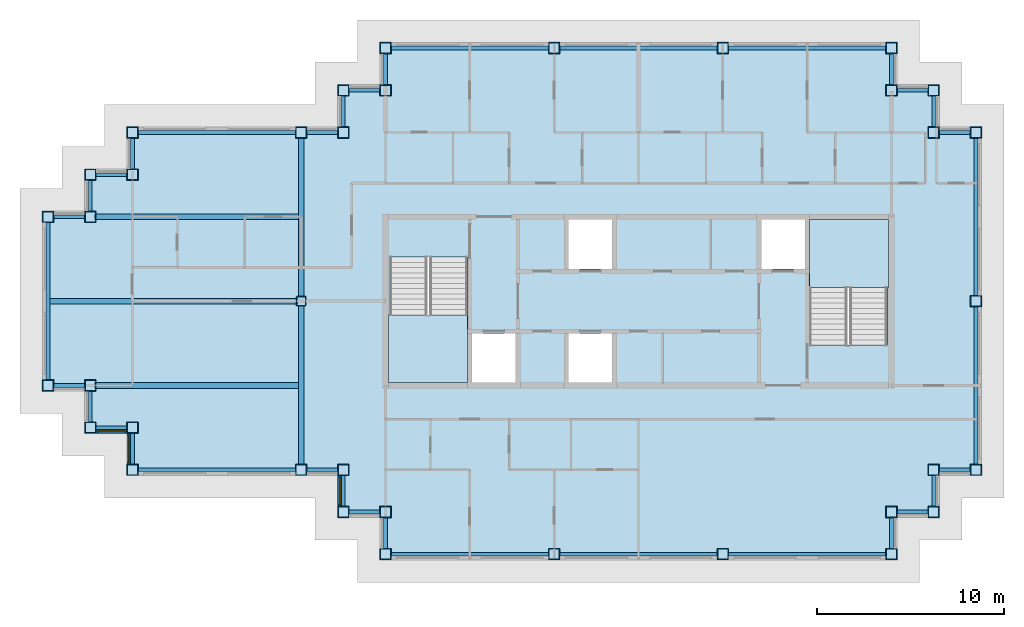
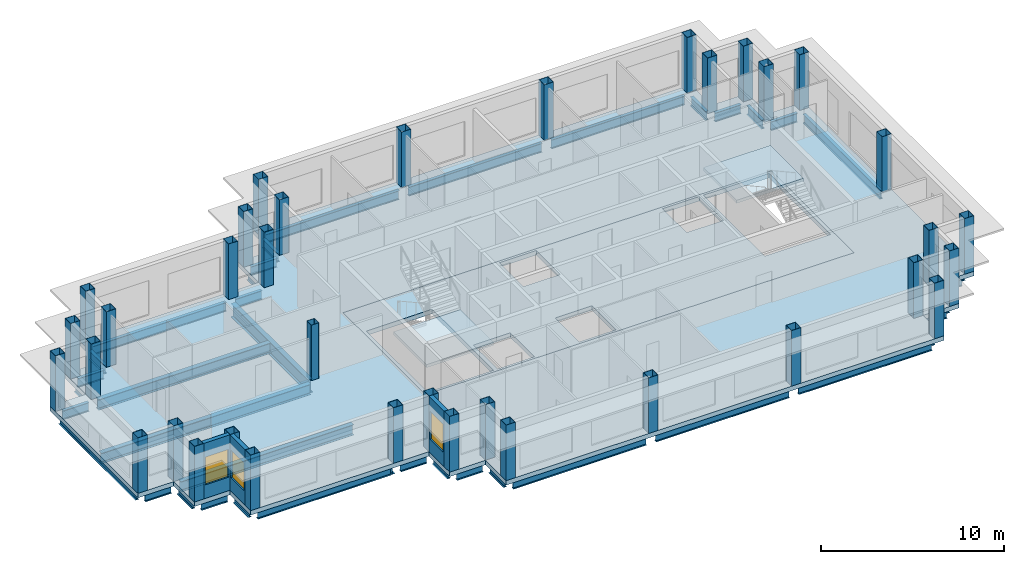
# One storey, part 1 of 12: 40 beams, 36 columns, 4 slabs, 3 walls, 3 windows, 3 openings, 2 elements without a shape of their own.
"""IFC4 building model written with IfcOpenShell, lengths in metres."""

from ifc_helpers import new_model, si_unit, direction, frame, frame_2d, origin, origin_2d, place, context, subcontext, project, spatial, polyline, rectangle, hollow_rectangle, i_section, outline, extrude, material, layer, layer_set, material_profile, profile_set, type_object, element, fill, aggregate, save


model = new_model("IFC4")

# Units and contexts
model_context = context("Model", 3, precision=1e-05, world=origin(), true_north=direction((0.0, 1.0)))
body_context = subcontext(model_context, "Body", "Model", "MODEL_VIEW")
ifc_project = project(units=[si_unit("LENGTHUNIT", "METRE"), si_unit("AREAUNIT", "SQUARE_METRE"), si_unit("VOLUMEUNIT", "CUBIC_METRE"), si_unit("PLANEANGLEUNIT", "RADIAN"), si_unit("MASSUNIT", "GRAM", prefix="KILO")], contexts=[model_context])

# Site, building, storey
site_placement = place(None, origin())
site = spatial("IfcSite", under=ifc_project, at=site_placement, CompositionType="ELEMENT")
building_placement = place(site_placement, origin())
building = spatial("IfcBuilding", under=site, at=building_placement, Name="Caravel Reach Hotel and Residences", CompositionType="ELEMENT")
storey_placement = place(building_placement, frame((0.0, 0.0, 241.60009765625)))
storey = spatial("IfcBuildingStorey", under=building, at=storey_placement, Name="L61", CompositionType="ELEMENT", Elevation=241.60009765625)

# Columns
ifc_material_1 = material(Name="Concrete-filled steel tube Q390B with Concrete C60 infill", Category="concrete")
ifc_material_profile_1 = material_profile(ifc_material_1, hollow_rectangle(XDim=0.5, YDim=0.5, WallThickness=0.01611328125, InnerFilletRadius=0.031982421875, OuterFilletRadius=0.048095703125, at=origin_2d()), Name="RHS 500x500x16")
ifc_profile_set_1 = profile_set([ifc_material_profile_1], Name="Concrete-filled steel tube Q390B with Concrete C60 infill")
column_type_1 = type_object("IfcColumnType", Name="CFT 500x500 Q390B C60", PredefinedType="COLUMN", material=ifc_profile_set_1)
column_placement = place(storey_placement, frame((13.5, 27.0, 0.0), z_axis=(0.0, 0.0, 1.0), x_axis=(1.0, 0.0, 0.0)))
element("IfcColumn", 1, at=column_placement, inside=storey, type_object=column_type_1, Name="C9 column", PredefinedType="COLUMN", context=body_context, shape_type="SweptSolid", body=[
    extrude(hollow_rectangle(XDim=0.5, YDim=0.5, WallThickness=0.01611328125, InnerFilletRadius=0.031982421875, OuterFilletRadius=0.048095703125, at=origin_2d()), origin(), (0.0, 0.0, 1.0), 3.699951171875),
])
ifc_material_2 = material(Name="Concrete-filled steel tube Q390B with Concrete C60 infill", Category="concrete")
ifc_material_profile_2 = material_profile(ifc_material_2, hollow_rectangle(XDim=0.60009765625, YDim=0.60009765625, WallThickness=0.02001953125, at=origin_2d()), Name="RHS 600x600x20")
ifc_profile_set_2 = profile_set([ifc_material_profile_2], Name="Concrete-filled steel tube Q390B with Concrete C60 infill")
column_type_2 = type_object("IfcColumnType", Name="CFT 600x600 Q390B C60", PredefinedType="COLUMN", material=ifc_profile_set_2)
for number, where, z_axis, x_axis, name in (
    (2, (15.75, 18.0, 0.0), (0.0, 0.0, 1.0), (1.0, 0.0, 0.0), "C8 column"),
    (3, (15.75, 15.75, 0.0), (0.0, 0.0, 1.0), (1.0, 0.0, 0.0), "C8 column"),
    (4, (18.0, 15.75, 0.0), (0.0, 0.0, 1.0), (1.0, 0.0, 0.0), "C8 column"),
    (5, (18.0, 13.5, 0.0), (0.0, 0.0, 1.0), (1.0, 0.0, 0.0), "C8 column"),
    (6, (27.0, 13.5, 0.0), (0.0, 0.0, 1.0), (1.0, 0.0, 0.0), "C8 column"),
    (7, (36.0, 13.5, 0.0), (0.0, 0.0, 1.0), (1.0, 0.0, 0.0), "C8 column"),
    (8, (45.0, 13.5, 0.0), (0.0, 0.0, 1.0), (1.0, 0.0, 0.0), "C8 column"),
    (9, (45.0, 15.75, 0.0), (0.0, 0.0, 1.0), (1.0, 0.0, 0.0), "C8 column"),
    (10, (47.25, 15.75, 0.0), (0.0, 0.0, 1.0), (1.0, 0.0, 0.0), "C8 column"),
    (11, (47.25, 18.0, 0.0), (0.0, 0.0, 1.0), (1.0, 0.0, 0.0), "C8 column"),
    (12, (49.5, 18.0, 0.0), (0.0, 0.0, 1.0), (1.0, 0.0, 0.0), "C8 column"),
    (13, (49.5, 27.0, 0.0), (0.0, 0.0, 1.0), (1.0, 0.0, 0.0), "C8 column"),
    (14, (49.5, 36.0, 0.0), (0.0, 0.0, 1.0), (1.0, 0.0, 0.0), "C8 column"),
    (15, (47.25, 36.0, 0.0), (0.0, 0.0, 1.0), (1.0, 0.0, 0.0), "C8 column"),
    (16, (47.25, 38.25, 0.0), (0.0, 0.0, 1.0), (1.0, 0.0, 0.0), "C8 column"),
    (17, (45.0, 38.25, 0.0), (0.0, 0.0, 1.0), (1.0, 0.0, 0.0), "C8 column"),
    (18, (45.0, 40.5, 0.0), (0.0, 0.0, 1.0), (1.0, 0.0, 0.0), "C8 column"),
    (19, (36.0, 40.5, 0.0), (0.0, 0.0, 1.0), (1.0, 0.0, 0.0), "C8 column"),
    (20, (27.0, 40.5, 0.0), (0.0, 0.0, 1.0), (1.0, 0.0, 0.0), "C8 column"),
    (21, (18.0, 40.5, 0.0), (0.0, 0.0, 1.0), (1.0, 0.0, 0.0), "C8 column"),
    (22, (18.0, 38.25, 0.0), (0.0, 0.0, 1.0), (1.0, 0.0, 0.0), "C8 column"),
    (23, (15.75, 38.25, 0.0), (0.0, 0.0, 1.0), (1.0, 0.0, 0.0), "C8 column"),
    (24, (15.75, 36.0, 0.0), (0.0, 0.0, 1.0), (1.0, 0.0, 0.0), "C8 column"),
    (25, (13.5, 36.0, 0.0), (0.0, 0.0, 1.0), (1.0, 0.0, 0.0), "C8 column"),
    (26, (4.5, 36.0, 0.0), (0.0, 0.0, 1.0), (1.0, 0.0, 0.0), "C8 column"),
    (27, (4.5, 33.75, 0.0), (0.0, 0.0, 1.0), (1.0, 0.0, 0.0), "C8 column"),
    (28, (2.25, 33.75, 0.0), (0.0, 0.0, 1.0), (1.0, 0.0, 0.0), "C8 column"),
    (29, (2.25, 31.5, 0.0), (0.0, 0.0, 1.0), (1.0, 0.0, 0.0), "C8 column"),
    (30, (0.0, 31.5, 0.0), (0.0, 0.0, 1.0), (1.0, 0.0, 0.0), "C8 column"),
    (31, (0.0, 22.5, 0.0), (0.0, 0.0, 1.0), (1.0, 0.0, 0.0), "C8 column"),
    (32, (2.25, 22.5, 0.0), (0.0, 0.0, 1.0), (1.0, 0.0, 0.0), "C8 column"),
    (33, (2.25, 20.25, 0.0), (0.0, 0.0, 1.0), (1.0, 0.0, 0.0), "C8 column"),
    (34, (4.5, 20.25, 0.0), (0.0, 0.0, 1.0), (1.0, 0.0, 0.0), "C8 column"),
    (35, (4.5, 18.0, 0.0), (0.0, 0.0, 1.0), (1.0, 0.0, 0.0), "C8 column"),
    (36, (13.5, 18.0, 0.0), (0.0, 0.0, 1.0), (1.0, 0.0, 0.0), "C8 column"),
):
    element("IfcColumn", number, at=place(storey_placement, frame(where, z_axis=z_axis, x_axis=x_axis)), inside=storey, type_object=column_type_2, Name=name, PredefinedType="COLUMN", context=body_context, shape_type="SweptSolid", body=[
        extrude(hollow_rectangle(XDim=0.60009765625, YDim=0.60009765625, WallThickness=0.02001953125, at=origin_2d()), origin(), (0.0, 0.0, 1.0), 3.699951171875),
    ])

# Beams
ifc_material_3 = material(Name="Structural steel Q355B", Category="steel")
ifc_material_profile_3 = material_profile(ifc_material_3, i_section(OverallWidth=0.300048828125, OverallDepth=0.699951171875, WebThickness=0.012939453125, FlangeThickness=0.02392578125, FilletRadius=0.01806640625, at=origin_2d()), Name="HN 700x300x13x24")
ifc_profile_set_3 = profile_set([ifc_material_profile_3], Name="Structural steel Q355B")
beam_type_1 = type_object("IfcBeamType", Name="Beam HN 700x300x13x24", PredefinedType="BEAM", material=ifc_profile_set_3)
beam_1_placement = place(storey_placement, frame((13.39990234375, 22.5, -0.650146484375), z_axis=(-1.0, 0.0, 0.0), x_axis=(0.0, -1.0, 0.0)))
element("IfcBeam", 37, at=beam_1_placement, inside=storey, type_object=beam_type_1, Name="B2 HN 700x300x13x24", PredefinedType="BEAM", context=body_context, shape_type="SweptSolid", body=[
    extrude(i_section(OverallWidth=0.300048828125, OverallDepth=0.699951171875, WebThickness=0.012939453125, FlangeThickness=0.02392578125, FilletRadius=0.01806640625, at=origin_2d()), origin(), (0.0, 0.0, 1.0), 10.89990234375),
])
beam_2_placement = place(storey_placement, frame((13.300048828125, 27.0, -0.650146484375), z_axis=(-1.0, 0.0, 0.0), x_axis=(0.0, -1.0, 0.0)))
element("IfcBeam", 38, at=beam_2_placement, inside=storey, type_object=beam_type_1, Name="B2 HN 700x300x13x24", PredefinedType="BEAM", context=body_context, shape_type="SweptSolid", body=[
    extrude(i_section(OverallWidth=0.300048828125, OverallDepth=0.699951171875, WebThickness=0.012939453125, FlangeThickness=0.02392578125, FilletRadius=0.01806640625, at=origin_2d()), origin(), (0.0, 0.0, 1.0), 13.199951171875),
])
beam_3_placement = place(storey_placement, frame((13.39990234375, 31.5, -0.650146484375), z_axis=(-1.0, 0.0, 0.0), x_axis=(0.0, -1.0, 0.0)))
element("IfcBeam", 39, at=beam_3_placement, inside=storey, type_object=beam_type_1, Name="B2 HN 700x300x13x24", PredefinedType="BEAM", context=body_context, shape_type="SweptSolid", body=[
    extrude(i_section(OverallWidth=0.300048828125, OverallDepth=0.699951171875, WebThickness=0.012939453125, FlangeThickness=0.02392578125, FilletRadius=0.01806640625, at=origin_2d()), origin(), (0.0, 0.0, 1.0), 10.89990234375),
])
ifc_material_4 = material(Name="Structural steel Q355B", Category="steel")
ifc_material_profile_4 = material_profile(ifc_material_4, i_section(OverallWidth=0.300048828125, OverallDepth=0.89990234375, WebThickness=0.01611328125, FlangeThickness=0.028076171875, FilletRadius=0.01806640625, at=origin_2d()), Name="HN 900x300x16x28")
ifc_profile_set_4 = profile_set([ifc_material_profile_4], Name="Structural steel Q355B")
beam_type_2 = type_object("IfcBeamType", Name="Beam HN 900x300x16x28", PredefinedType="BEAM", material=ifc_profile_set_4)
for number, where, z_axis, x_axis, name in (
    (40, (13.5, 18.300048828125, -0.75), (0.0, 1.0, 0.0), (-1.0, 0.0, 0.0), "B3 HN 900x300x16x28"),
    (41, (13.5, 27.25, -0.75), (0.0, 1.0, 0.0), (-1.0, 0.0, 0.0), "B3 HN 900x300x16x28"),
):
    element("IfcBeam", number, at=place(storey_placement, frame(where, z_axis=z_axis, x_axis=x_axis)), inside=storey, type_object=beam_type_2, Name=name, PredefinedType="BEAM", context=body_context, shape_type="SweptSolid", body=[
        extrude(i_section(OverallWidth=0.300048828125, OverallDepth=0.89990234375, WebThickness=0.01611328125, FlangeThickness=0.028076171875, FilletRadius=0.01806640625, at=origin_2d()), origin(), (0.0, 0.0, 1.0), 8.449951171875),
    ])
ifc_material_5 = material(Name="Structural steel Q355B", Category="steel")
ifc_material_profile_5 = material_profile(ifc_material_5, i_section(OverallWidth=0.199951171875, OverallDepth=0.60009765625, WebThickness=0.010986328125, FlangeThickness=0.01708984375, FilletRadius=0.012939453125, at=origin_2d()), Name="HN 600x200x11x17")
ifc_profile_set_5 = profile_set([ifc_material_profile_5], Name="Structural steel Q355B")
beam_type_3 = type_object("IfcBeamType", Name="Spandrel beam HN 600x200x11x17", PredefinedType="SPANDREL", material=ifc_profile_set_5)
for number, where, z_axis, x_axis, name in (
    (42, (15.75, 17.699951171875, -0.60009765625), (0.0, -1.0, 0.0), (1.0, 0.0, 0.0), "SP1 HN 600x200x11x17"),
    (43, (16.050048828125, 15.75, -0.60009765625), (1.0, 0.0, 0.0), (0.0, 1.0, 0.0), "SP1 HN 600x200x11x17"),
    (44, (18.0, 15.449951171875, -0.60009765625), (0.0, -1.0, 0.0), (1.0, 0.0, 0.0), "SP1 HN 600x200x11x17"),
):
    element("IfcBeam", number, at=place(storey_placement, frame(where, z_axis=z_axis, x_axis=x_axis)), inside=storey, type_object=beam_type_3, Name=name, PredefinedType="SPANDREL", context=body_context, shape_type="SweptSolid", body=[
        extrude(i_section(OverallWidth=0.199951171875, OverallDepth=0.60009765625, WebThickness=0.010986328125, FlangeThickness=0.01708984375, FilletRadius=0.012939453125, at=origin_2d()), origin(), (0.0, 0.0, 1.0), 1.64990234375),
    ])
for number, where, z_axis, x_axis, name in (
    (45, (18.300048828125, 13.5, -0.60009765625), (1.0, 0.0, 0.0), (0.0, 1.0, 0.0), "SP1 HN 600x200x11x17"),
    (46, (27.300048828125, 13.5, -0.60009765625), (1.0, 0.0, 0.0), (0.0, 1.0, 0.0), "SP1 HN 600x200x11x17"),
    (47, (36.300048828125, 13.5, -0.60009765625), (1.0, 0.0, 0.0), (0.0, 1.0, 0.0), "SP1 HN 600x200x11x17"),
):
    element("IfcBeam", number, at=place(storey_placement, frame(where, z_axis=z_axis, x_axis=x_axis)), inside=storey, type_object=beam_type_3, Name=name, PredefinedType="SPANDREL", context=body_context, shape_type="SweptSolid", body=[
        extrude(i_section(OverallWidth=0.199951171875, OverallDepth=0.60009765625, WebThickness=0.010986328125, FlangeThickness=0.01708984375, FilletRadius=0.012939453125, at=origin_2d()), origin(), (0.0, 0.0, 1.0), 8.39990234375),
    ])
for number, where, z_axis, x_axis, name in (
    (48, (45.0, 13.800048828125, -0.60009765625), (0.0, 1.0, 0.0), (-1.0, 0.0, 0.0), "SP1 HN 600x200x11x17"),
    (49, (45.300048828125, 15.75, -0.60009765625), (1.0, 0.0, 0.0), (0.0, 1.0, 0.0), "SP1 HN 600x200x11x17"),
    (50, (47.25, 16.050048828125, -0.60009765625), (0.0, 1.0, 0.0), (-1.0, 0.0, 0.0), "SP1 HN 600x200x11x17"),
    (51, (47.550048828125, 18.0, -0.60009765625), (1.0, 0.0, 0.0), (0.0, 1.0, 0.0), "SP1 HN 600x200x11x17"),
):
    element("IfcBeam", number, at=place(storey_placement, frame(where, z_axis=z_axis, x_axis=x_axis)), inside=storey, type_object=beam_type_3, Name=name, PredefinedType="SPANDREL", context=body_context, shape_type="SweptSolid", body=[
        extrude(i_section(OverallWidth=0.199951171875, OverallDepth=0.60009765625, WebThickness=0.010986328125, FlangeThickness=0.01708984375, FilletRadius=0.012939453125, at=origin_2d()), origin(), (0.0, 0.0, 1.0), 1.64990234375),
    ])
for number, where, z_axis, x_axis, name in (
    (52, (49.5, 18.300048828125, -0.60009765625), (0.0, 1.0, 0.0), (-1.0, 0.0, 0.0), "SP1 HN 600x200x11x17"),
    (53, (49.5, 27.300048828125, -0.60009765625), (0.0, 1.0, 0.0), (-1.0, 0.0, 0.0), "SP1 HN 600x200x11x17"),
):
    element("IfcBeam", number, at=place(storey_placement, frame(where, z_axis=z_axis, x_axis=x_axis)), inside=storey, type_object=beam_type_3, Name=name, PredefinedType="SPANDREL", context=body_context, shape_type="SweptSolid", body=[
        extrude(i_section(OverallWidth=0.199951171875, OverallDepth=0.60009765625, WebThickness=0.010986328125, FlangeThickness=0.01708984375, FilletRadius=0.012939453125, at=origin_2d()), origin(), (0.0, 0.0, 1.0), 8.39990234375),
    ])
for number, where, z_axis, x_axis, name in (
    (54, (49.199951171875, 36.0, -0.60009765625), (-1.0, 0.0, 0.0), (0.0, -1.0, 0.0), "SP1 HN 600x200x11x17"),
    (55, (47.25, 36.300048828125, -0.60009765625), (0.0, 1.0, 0.0), (-1.0, 0.0, 0.0), "SP1 HN 600x200x11x17"),
    (56, (46.949951171875, 38.25, -0.60009765625), (-1.0, 0.0, 0.0), (0.0, -1.0, 0.0), "SP1 HN 600x200x11x17"),
    (57, (45.0, 38.550048828125, -0.60009765625), (0.0, 1.0, 0.0), (-1.0, 0.0, 0.0), "SP1 HN 600x200x11x17"),
):
    element("IfcBeam", number, at=place(storey_placement, frame(where, z_axis=z_axis, x_axis=x_axis)), inside=storey, type_object=beam_type_3, Name=name, PredefinedType="SPANDREL", context=body_context, shape_type="SweptSolid", body=[
        extrude(i_section(OverallWidth=0.199951171875, OverallDepth=0.60009765625, WebThickness=0.010986328125, FlangeThickness=0.01708984375, FilletRadius=0.012939453125, at=origin_2d()), origin(), (0.0, 0.0, 1.0), 1.64990234375),
    ])
for number, where, z_axis, x_axis, name in (
    (58, (44.699951171875, 40.5, -0.60009765625), (-1.0, 0.0, 0.0), (0.0, -1.0, 0.0), "SP1 HN 600x200x11x17"),
    (59, (35.699951171875, 40.5, -0.60009765625), (-1.0, 0.0, 0.0), (0.0, -1.0, 0.0), "SP1 HN 600x200x11x17"),
    (60, (26.699951171875, 40.5, -0.60009765625), (-1.0, 0.0, 0.0), (0.0, -1.0, 0.0), "SP1 HN 600x200x11x17"),
):
    element("IfcBeam", number, at=place(storey_placement, frame(where, z_axis=z_axis, x_axis=x_axis)), inside=storey, type_object=beam_type_3, Name=name, PredefinedType="SPANDREL", context=body_context, shape_type="SweptSolid", body=[
        extrude(i_section(OverallWidth=0.199951171875, OverallDepth=0.60009765625, WebThickness=0.010986328125, FlangeThickness=0.01708984375, FilletRadius=0.012939453125, at=origin_2d()), origin(), (0.0, 0.0, 1.0), 8.39990234375),
    ])
for number, where, z_axis, x_axis, name in (
    (61, (18.0, 40.199951171875, -0.60009765625), (0.0, -1.0, 0.0), (1.0, 0.0, 0.0), "SP1 HN 600x200x11x17"),
    (62, (17.699951171875, 38.25, -0.60009765625), (-1.0, 0.0, 0.0), (0.0, -1.0, 0.0), "SP1 HN 600x200x11x17"),
    (63, (15.75, 37.949951171875, -0.60009765625), (0.0, -1.0, 0.0), (1.0, 0.0, 0.0), "SP1 HN 600x200x11x17"),
    (64, (15.449951171875, 36.0, -0.60009765625), (-1.0, 0.0, 0.0), (0.0, -1.0, 0.0), "SP1 HN 600x200x11x17"),
):
    element("IfcBeam", number, at=place(storey_placement, frame(where, z_axis=z_axis, x_axis=x_axis)), inside=storey, type_object=beam_type_3, Name=name, PredefinedType="SPANDREL", context=body_context, shape_type="SweptSolid", body=[
        extrude(i_section(OverallWidth=0.199951171875, OverallDepth=0.60009765625, WebThickness=0.010986328125, FlangeThickness=0.01708984375, FilletRadius=0.012939453125, at=origin_2d()), origin(), (0.0, 0.0, 1.0), 1.64990234375),
    ])
beam_4_placement = place(storey_placement, frame((13.199951171875, 36.0, -0.60009765625), z_axis=(-1.0, 0.0, 0.0), x_axis=(0.0, -1.0, 0.0)))
element("IfcBeam", 65, at=beam_4_placement, inside=storey, type_object=beam_type_3, Name="SP1 HN 600x200x11x17", PredefinedType="SPANDREL", context=body_context, shape_type="SweptSolid", body=[
    extrude(i_section(OverallWidth=0.199951171875, OverallDepth=0.60009765625, WebThickness=0.010986328125, FlangeThickness=0.01708984375, FilletRadius=0.012939453125, at=origin_2d()), origin(), (0.0, 0.0, 1.0), 8.39990234375),
])
for number, where, z_axis, x_axis, name in (
    (66, (4.5, 35.699951171875, -0.60009765625), (0.0, -1.0, 0.0), (1.0, 0.0, 0.0), "SP1 HN 600x200x11x17"),
    (67, (4.199951171875, 33.75, -0.60009765625), (-1.0, 0.0, 0.0), (0.0, -1.0, 0.0), "SP1 HN 600x200x11x17"),
    (68, (2.25, 33.449951171875, -0.60009765625), (0.0, -1.0, 0.0), (1.0, 0.0, 0.0), "SP1 HN 600x200x11x17"),
    (69, (1.949951171875, 31.5, -0.60009765625), (-1.0, 0.0, 0.0), (0.0, -1.0, 0.0), "SP1 HN 600x200x11x17"),
):
    element("IfcBeam", number, at=place(storey_placement, frame(where, z_axis=z_axis, x_axis=x_axis)), inside=storey, type_object=beam_type_3, Name=name, PredefinedType="SPANDREL", context=body_context, shape_type="SweptSolid", body=[
        extrude(i_section(OverallWidth=0.199951171875, OverallDepth=0.60009765625, WebThickness=0.010986328125, FlangeThickness=0.01708984375, FilletRadius=0.012939453125, at=origin_2d()), origin(), (0.0, 0.0, 1.0), 1.64990234375),
    ])
beam_5_placement = place(storey_placement, frame((0.0, 31.199951171875, -0.60009765625), z_axis=(0.0, -1.0, 0.0), x_axis=(1.0, 0.0, 0.0)))
element("IfcBeam", 70, at=beam_5_placement, inside=storey, type_object=beam_type_3, Name="SP1 HN 600x200x11x17", PredefinedType="SPANDREL", context=body_context, shape_type="SweptSolid", body=[
    extrude(i_section(OverallWidth=0.199951171875, OverallDepth=0.60009765625, WebThickness=0.010986328125, FlangeThickness=0.01708984375, FilletRadius=0.012939453125, at=origin_2d()), origin(), (0.0, 0.0, 1.0), 8.39990234375),
])
for number, where, z_axis, x_axis, name in (
    (71, (0.300048828125, 22.5, -0.60009765625), (1.0, 0.0, 0.0), (0.0, 1.0, 0.0), "SP1 HN 600x200x11x17"),
    (72, (2.25, 22.199951171875, -0.60009765625), (0.0, -1.0, 0.0), (1.0, 0.0, 0.0), "SP1 HN 600x200x11x17"),
    (73, (2.550048828125, 20.25, -0.60009765625), (1.0, 0.0, 0.0), (0.0, 1.0, 0.0), "SP1 HN 600x200x11x17"),
    (74, (4.5, 19.949951171875, -0.60009765625), (0.0, -1.0, 0.0), (1.0, 0.0, 0.0), "SP1 HN 600x200x11x17"),
):
    element("IfcBeam", number, at=place(storey_placement, frame(where, z_axis=z_axis, x_axis=x_axis)), inside=storey, type_object=beam_type_3, Name=name, PredefinedType="SPANDREL", context=body_context, shape_type="SweptSolid", body=[
        extrude(i_section(OverallWidth=0.199951171875, OverallDepth=0.60009765625, WebThickness=0.010986328125, FlangeThickness=0.01708984375, FilletRadius=0.012939453125, at=origin_2d()), origin(), (0.0, 0.0, 1.0), 1.64990234375),
    ])
beam_6_placement = place(storey_placement, frame((4.800048828125, 18.0, -0.60009765625), z_axis=(1.0, 0.0, 0.0), x_axis=(0.0, 1.0, 0.0)))
element("IfcBeam", 75, at=beam_6_placement, inside=storey, type_object=beam_type_3, Name="SP1 HN 600x200x11x17", PredefinedType="SPANDREL", context=body_context, shape_type="SweptSolid", body=[
    extrude(i_section(OverallWidth=0.199951171875, OverallDepth=0.60009765625, WebThickness=0.010986328125, FlangeThickness=0.01708984375, FilletRadius=0.012939453125, at=origin_2d()), origin(), (0.0, 0.0, 1.0), 8.39990234375),
])
beam_7_placement = place(storey_placement, frame((13.800048828125, 18.0, -0.60009765625), z_axis=(1.0, 0.0, 0.0), x_axis=(0.0, 1.0, 0.0)))
element("IfcBeam", 76, at=beam_7_placement, inside=storey, type_object=beam_type_3, Name="SP1 HN 600x200x11x17", PredefinedType="SPANDREL", context=body_context, shape_type="SweptSolid", body=[
    extrude(i_section(OverallWidth=0.199951171875, OverallDepth=0.60009765625, WebThickness=0.010986328125, FlangeThickness=0.01708984375, FilletRadius=0.012939453125, at=origin_2d()), origin(), (0.0, 0.0, 1.0), 1.64990234375),
])

# Slab
ifc_material_6 = material(Name="Concrete C40", Category="concrete")
ifc_layer_1 = layer(ifc_material_6, 0.300048828125)
ifc_layer_set_1 = layer_set([ifc_layer_1], Name="Core floor slab 300 mm")
slab_type_1 = type_object("IfcSlabType", Name="Core floor slab 300 mm", PredefinedType="FLOOR", material=ifc_layer_set_1)
slab_1_placement = place(storey_placement, frame((0.0, 0.0, -0.300048828125)))
element("IfcSlab", 77, at=slab_1_placement, inside=storey, type_object=slab_type_1, Name="L61 core floor", PredefinedType="FLOOR", context=body_context, shape_type="SweptSolid", body=[
    extrude(outline(polyline([(18.0, 31.5), (45.0, 31.5), (45.0, 22.5), (18.0, 22.5), (18.0, 31.5)]), holes=[polyline([(22.625, 22.64990234375), (24.9462890625, 22.64990234375), (24.9462890625, 25.27490234375), (22.625, 25.27490234375), (22.625, 22.64990234375)]), polyline([(27.767822265625, 25.27490234375), (27.767822265625, 22.64990234375), (30.08935546875, 22.64990234375), (30.08935546875, 25.27490234375), (27.767822265625, 25.27490234375)]), polyline([(22.375, 22.64990234375), (22.375, 29.35009765625), (18.22509765625, 29.35009765625), (18.22509765625, 22.64990234375), (22.375, 22.64990234375)]), polyline([(40.625, 24.64990234375), (44.77490234375, 24.64990234375), (44.77490234375, 31.35009765625), (40.625, 31.35009765625), (40.625, 24.64990234375)]), polyline([(27.767822265625, 31.35009765625), (27.767822265625, 28.72509765625), (30.08935546875, 28.72509765625), (30.08935546875, 31.35009765625), (27.767822265625, 31.35009765625)]), polyline([(38.0537109375, 31.35009765625), (38.0537109375, 28.72509765625), (40.375, 28.72509765625), (40.375, 31.35009765625), (38.0537109375, 31.35009765625)])]), origin(), (0.0, 0.0, 1.0), 0.300048828125),
])

# Stair, slab
ifc_material_7 = material(Name="Concrete C40", Category="concrete")
stair_type = type_object("IfcStairType", Name="Core stair", PredefinedType="HALF_TURN_STAIR", material=ifc_material_7)
stair_1_placement = place(storey_placement, origin())
stair_1 = element("IfcStair", 78, at=stair_1_placement, inside=storey, type_object=stair_type, Name="L61 Exit stair A", PredefinedType="HALF_TURN_STAIR")
ifc_material_8 = material(Name="Concrete C40", Category="concrete")
ifc_layer_2 = layer(ifc_material_8, 0.199951171875)
ifc_layer_set_2 = layer_set([ifc_layer_2], Name="Core stair landing")
slab_type_2 = type_object("IfcSlabType", Name="Core stair landing", PredefinedType="LANDING", material=ifc_layer_set_2)
slab_2_placement = place(storey_placement, frame((0.0, 0.0, 1.64990234375)))
slab_2 = element("IfcSlab", 79, at=slab_2_placement, type_object=slab_type_2, Name="ST-A landing 1", PredefinedType="LANDING", context=body_context, shape_type="SweptSolid", body=[
    extrude(outline(polyline([(18.14990234375, 26.27001953125), (18.14990234375, 22.64990234375), (22.375, 22.64990234375), (22.375, 26.27001953125), (18.14990234375, 26.27001953125)])), origin(), (0.0, 0.0, 1.0), 0.199951171875),
])
aggregate(stair_1, [slab_2])

stair_2_placement = place(storey_placement, origin())
stair_2 = element("IfcStair", 80, at=stair_2_placement, inside=storey, type_object=stair_type, Name="L61 Exit stair B", PredefinedType="HALF_TURN_STAIR")
slab_3_placement = place(storey_placement, frame((0.0, 0.0, 1.64990234375)))
slab_3 = element("IfcSlab", 81, at=slab_3_placement, type_object=slab_type_2, Name="ST-B landing 1", PredefinedType="LANDING", context=body_context, shape_type="SweptSolid", body=[
    extrude(outline(polyline([(44.85009765625, 27.72998046875), (44.85009765625, 31.35009765625), (40.625, 31.35009765625), (40.625, 27.72998046875), (44.85009765625, 27.72998046875)])), origin(), (0.0, 0.0, 1.0), 0.199951171875),
])
aggregate(stair_2, [slab_3])

# Slab
ifc_material_9 = material(Name="Concrete C40 post-tensioned", Category="concrete")
ifc_layer_3 = layer(ifc_material_9, 0.300048828125)
ifc_layer_set_3 = layer_set([ifc_layer_3], Name="Floor slab 300")
slab_type_3 = type_object("IfcSlabType", Name="Floor slab 300", PredefinedType="FLOOR", material=ifc_layer_set_3)
slab_4_placement = place(storey_placement, frame((0.0, 0.0, -0.300048828125)))
element("IfcSlab", 82, at=slab_4_placement, inside=storey, type_object=slab_type_3, Name="S2 slab L61", PredefinedType="FLOOR", context=body_context, shape_type="SweptSolid", body=[
    extrude(outline(polyline([(4.199951171875, 19.949951171875), (1.949951171875, 19.949951171875), (1.949951171875, 22.199951171875), (-0.300048828125, 22.199951171875), (-0.300048828125, 31.800048828125), (1.949951171875, 31.800048828125), (1.949951171875, 34.050048828125), (4.199951171875, 34.050048828125), (4.199951171875, 36.300048828125), (15.449951171875, 36.300048828125), (15.449951171875, 38.550048828125), (17.699951171875, 38.550048828125), (17.699951171875, 40.800048828125), (45.300048828125, 40.800048828125), (45.300048828125, 38.550048828125), (47.550048828125, 38.550048828125), (47.550048828125, 36.300048828125), (49.800048828125, 36.300048828125), (49.800048828125, 17.699951171875), (47.550048828125, 17.699951171875), (47.550048828125, 15.449951171875), (45.300048828125, 15.449951171875), (45.300048828125, 13.199951171875), (17.699951171875, 13.199951171875), (17.699951171875, 15.449951171875), (15.449951171875, 15.449951171875), (15.449951171875, 17.699951171875), (4.199951171875, 17.699951171875), (4.199951171875, 19.949951171875)]), holes=[polyline([(45.0, 31.5), (18.0, 31.5), (18.0, 22.5), (45.0, 22.5), (45.0, 31.5)])]), origin(), (0.0, 0.0, 1.0), 0.300048828125),
])

# Wall, opening, window
ifc_material_10 = material(Name="Insulated rainscreen wall, aluminium cladding", Category="aluminium")
ifc_layer_4 = layer(ifc_material_10, 0.25)
ifc_layer_set_4 = layer_set([ifc_layer_4], Name="EW1 Tower rainscreen wall")
wall_type = type_object("IfcWallType", Name="EW1 Tower rainscreen wall", PredefinedType="SOLIDWALL", material=ifc_layer_set_4)
wall_1_placement = place(storey_placement, frame((15.574951171875, 17.699951171875, 0.0), z_axis=(0.0, 0.0, 1.0), x_axis=(0.0, -1.0, 0.0)))
wall_1 = element("IfcWall", 83, at=wall_1_placement, inside=storey, type_object=wall_type, Name="External wall L61 W1.1", PredefinedType="SOLIDWALL", context=body_context, shape_type="SweptSolid", body=[
    extrude(rectangle(XDim=1.64990234375, YDim=0.25, at=frame_2d((0.824951171875, 0.0))), origin(), (0.0, 0.0, 1.0), 3.699951171875),
])
opening_1_placement = place(wall_1_placement, frame((0.10009765625, 0.0, 0.89990234375)))
opening_1 = element("IfcOpeningElement", 84, at=opening_1_placement, cuts=wall_1, Name="Opening WN25", PredefinedType="OPENING", context=body_context, shape_type="SweptSolid", body=[
    extrude(rectangle(XDim=1.449951171875, YDim=1.85009765625, at=frame_2d((0.72509765625, 0.925048828125))), frame((0.0, 0.135009765625, 0.0), z_axis=(0.0, -1.0, 0.0), x_axis=(1.0, 0.0, 0.0)), (0.0, 0.0, 1.0), 0.27001953125),
])
ifc_material_11 = material(Name="Dark low-e glazing in black aluminium frame", Category="aluminium")
window_type = type_object("IfcWindowType", Name="Residence bedroom window 1450 x 1850", PartitioningType="SINGLE_PANEL", PredefinedType="WINDOW", material=ifc_material_11)
window_1_placement = place(opening_1_placement, origin())
window_1 = element("IfcWindow", 85, at=window_1_placement, inside=storey, type_object=window_type, Name="Window L61 W1.1.1", OverallHeight=1.85009765625, OverallWidth=1.449951171875, PartitioningType="SINGLE_PANEL", PredefinedType="WINDOW", context=body_context, shape_type="SweptSolid", body=[
    extrude(rectangle(XDim=1.449951171875, YDim=1.85009765625, at=frame_2d((0.72509765625, 0.925048828125))), frame((0.0, 0.030029296875, 0.0), z_axis=(0.0, -1.0, 0.0), x_axis=(1.0, 0.0, 0.0)), (0.0, 0.0, 1.0), 0.06005859375),
])
fill(opening_1, window_1)

wall_2_placement = place(storey_placement, frame((2.550048828125, 20.074951171875, 0.0), z_axis=(0.0, 0.0, 1.0), x_axis=(1.0, 0.0, 0.0)))
wall_2 = element("IfcWall", 86, at=wall_2_placement, inside=storey, type_object=wall_type, Name="External wall L61 S26.1", PredefinedType="SOLIDWALL", context=body_context, shape_type="SweptSolid", body=[
    extrude(rectangle(XDim=1.64990234375, YDim=0.25, at=frame_2d((0.824951171875, 0.0))), origin(), (0.0, 0.0, 1.0), 3.699951171875),
])
opening_2_placement = place(wall_2_placement, frame((0.10009765625, 0.0, 0.89990234375)))
opening_2 = element("IfcOpeningElement", 87, at=opening_2_placement, cuts=wall_2, Name="Opening WN25", PredefinedType="OPENING", context=body_context, shape_type="SweptSolid", body=[
    extrude(rectangle(XDim=1.449951171875, YDim=1.85009765625, at=frame_2d((0.72509765625, 0.925048828125))), frame((0.0, 0.135009765625, 0.0), z_axis=(0.0, -1.0, 0.0), x_axis=(1.0, 0.0, 0.0)), (0.0, 0.0, 1.0), 0.27001953125),
])
window_2_placement = place(opening_2_placement, origin())
window_2 = element("IfcWindow", 88, at=window_2_placement, inside=storey, type_object=window_type, Name="Window L61 S26.1.1", OverallHeight=1.85009765625, OverallWidth=1.449951171875, PartitioningType="SINGLE_PANEL", PredefinedType="WINDOW", context=body_context, shape_type="SweptSolid", body=[
    extrude(rectangle(XDim=1.449951171875, YDim=1.85009765625, at=frame_2d((0.72509765625, 0.925048828125))), frame((0.0, 0.030029296875, 0.0), z_axis=(0.0, -1.0, 0.0), x_axis=(1.0, 0.0, 0.0)), (0.0, 0.0, 1.0), 0.06005859375),
])
fill(opening_2, window_2)

wall_3_placement = place(storey_placement, frame((4.324951171875, 19.949951171875, 0.0), z_axis=(0.0, 0.0, 1.0), x_axis=(0.0, -1.0, 0.0)))
wall_3 = element("IfcWall", 89, at=wall_3_placement, inside=storey, type_object=wall_type, Name="External wall L61 W27.1", PredefinedType="SOLIDWALL", context=body_context, shape_type="SweptSolid", body=[
    extrude(rectangle(XDim=1.64990234375, YDim=0.25, at=frame_2d((0.824951171875, 0.0))), origin(), (0.0, 0.0, 1.0), 3.699951171875),
])
opening_3_placement = place(wall_3_placement, frame((0.10009765625, 0.0, 0.89990234375)))
opening_3 = element("IfcOpeningElement", 90, at=opening_3_placement, cuts=wall_3, Name="Opening WN25", PredefinedType="OPENING", context=body_context, shape_type="SweptSolid", body=[
    extrude(rectangle(XDim=1.449951171875, YDim=1.85009765625, at=frame_2d((0.72509765625, 0.925048828125))), frame((0.0, 0.135009765625, 0.0), z_axis=(0.0, -1.0, 0.0), x_axis=(1.0, 0.0, 0.0)), (0.0, 0.0, 1.0), 0.27001953125),
])
window_3_placement = place(opening_3_placement, origin())
window_3 = element("IfcWindow", 91, at=window_3_placement, inside=storey, type_object=window_type, Name="Window L61 W27.1.1", OverallHeight=1.85009765625, OverallWidth=1.449951171875, PartitioningType="SINGLE_PANEL", PredefinedType="WINDOW", context=body_context, shape_type="SweptSolid", body=[
    extrude(rectangle(XDim=1.449951171875, YDim=1.85009765625, at=frame_2d((0.72509765625, 0.925048828125))), frame((0.0, 0.030029296875, 0.0), z_axis=(0.0, -1.0, 0.0), x_axis=(1.0, 0.0, 0.0)), (0.0, 0.0, 1.0), 0.06005859375),
])
fill(opening_3, window_3)

save(model, "model.ifc")
